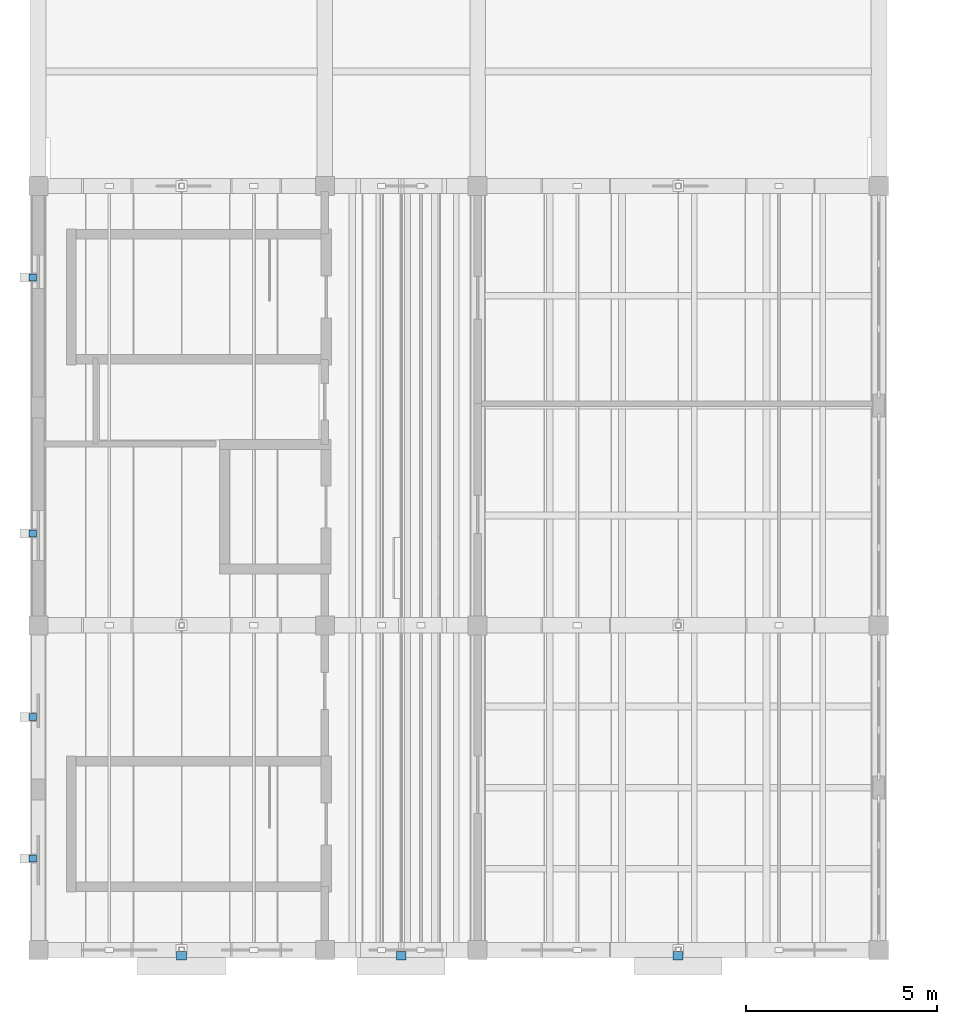
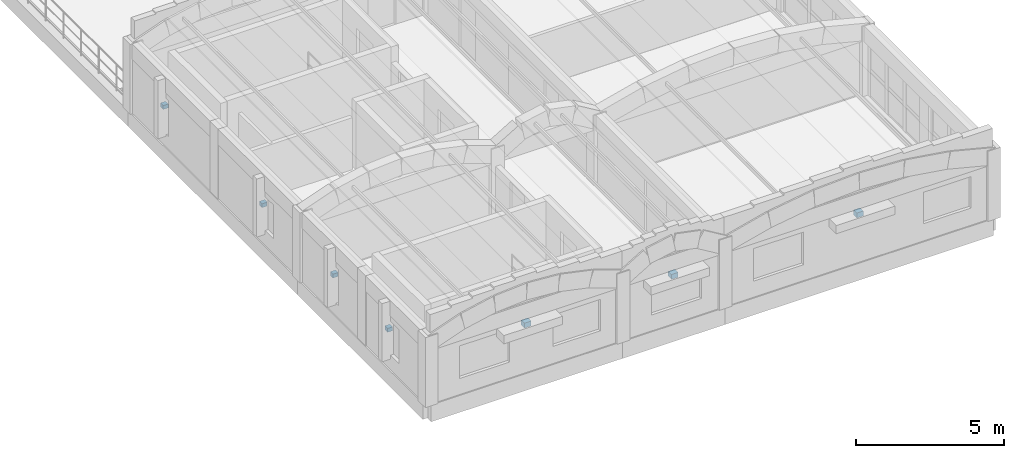
# One storey, part 34 of 40: 7 discrete accessories.
"""IFC4 building model written with IfcOpenShell, lengths in metres."""

from ifc_helpers import new_model, si_unit, direction, frame, origin, origin_2d, place, context, subcontext, project, spatial, rectangle, extrude, material, type_object, element, save


model = new_model("IFC4")

# Units and contexts
model_context = context("Model", 3, precision=1e-05, world=origin(), true_north=direction((0.0, 1.0)))
body_context = subcontext(model_context, "Body", "Model", "MODEL_VIEW")
ifc_project = project(units=[si_unit("LENGTHUNIT", "METRE"), si_unit("AREAUNIT", "SQUARE_METRE"), si_unit("VOLUMEUNIT", "CUBIC_METRE"), si_unit("PLANEANGLEUNIT", "RADIAN"), si_unit("MASSUNIT", "GRAM", prefix="KILO")], contexts=[model_context])

# Site, building, storey
site_placement = place(None, origin())
site = spatial("IfcSite", under=ifc_project, at=site_placement, CompositionType="ELEMENT")
building_placement = place(site_placement, origin())
building = spatial("IfcBuilding", under=site, at=building_placement, Name="Trellovar Central Fire Station", CompositionType="ELEMENT")
storey_placement = place(building_placement, frame((0.0, 0.0, 12.75)))
storey = spatial("IfcBuildingStorey", under=building, at=storey_placement, Name="L04", CompositionType="ELEMENT", Elevation=12.75)

# Discrete accessories
ifc_material_1 = material(Name="Patina bronze wrought metalwork", Category="metal")
discrete_accessory_type_1 = type_object("IfcDiscreteAccessoryType", Name="ACC-BRK1", PredefinedType="BRACKET", material=ifc_material_1)
for number, where, z_axis, x_axis, name in (
    (1, (4.75, 8.85009765625, 1.9501953125), (0.0, 0.0, 1.0), (1.0, 0.0, 0.0), "L04 bronze shade mounting bracket 58"),
    (2, (10.5, 8.85009765625, 1.9501953125), (0.0, 0.0, 1.0), (1.0, 0.0, 0.0), "L04 bronze shade mounting bracket 59"),
    (3, (17.75, 8.85009765625, 1.9501953125), (0.0, 0.0, 1.0), (1.0, 0.0, 0.0), "L04 bronze shade mounting bracket 60"),
):
    element("IfcDiscreteAccessory", number, at=place(storey_placement, frame(where, z_axis=z_axis, x_axis=x_axis)), inside=storey, type_object=discrete_accessory_type_1, Name=name, PredefinedType="BRACKET", context=body_context, shape_type="SweptSolid", body=[
        extrude(rectangle(XDim=0.260009765625, YDim=0.219970703125, at=origin_2d()), origin(), (0.0, 0.0, 1.0), 0.199951171875),
    ])
ifc_material_2 = material(Name="Patina bronze wrought metalwork", Category="metal")
discrete_accessory_type_2 = type_object("IfcDiscreteAccessoryType", Name="ACC-BRK2", PredefinedType="BRACKET", material=ifc_material_2)
for number, where, z_axis, x_axis, name in (
    (4, (0.85009765625, 11.39990234375, 1.56982421875), (0.0, 0.0, 1.0), (1.0, 0.0, 0.0), "L04 bronze shade mounting bracket 61"),
    (5, (0.85009765625, 15.10009765625, 1.56982421875), (0.0, 0.0, 1.0), (1.0, 0.0, 0.0), "L04 bronze shade mounting bracket 62"),
    (6, (0.85009765625, 19.89990234375, 1.56982421875), (0.0, 0.0, 1.0), (1.0, 0.0, 0.0), "L04 bronze shade mounting bracket 63"),
    (7, (0.85009765625, 26.60009765625, 1.56982421875), (0.0, 0.0, 1.0), (1.0, 0.0, 0.0), "L04 bronze shade mounting bracket 64"),
):
    element("IfcDiscreteAccessory", number, at=place(storey_placement, frame(where, z_axis=z_axis, x_axis=x_axis)), inside=storey, type_object=discrete_accessory_type_2, Name=name, PredefinedType="BRACKET", context=body_context, shape_type="SweptSolid", body=[
        extrude(rectangle(XDim=0.199951171875, YDim=0.179931640625, at=origin_2d()), origin(), (0.0, 0.0, 1.0), 0.159912109375),
    ])

save(model, "model.ifc")
